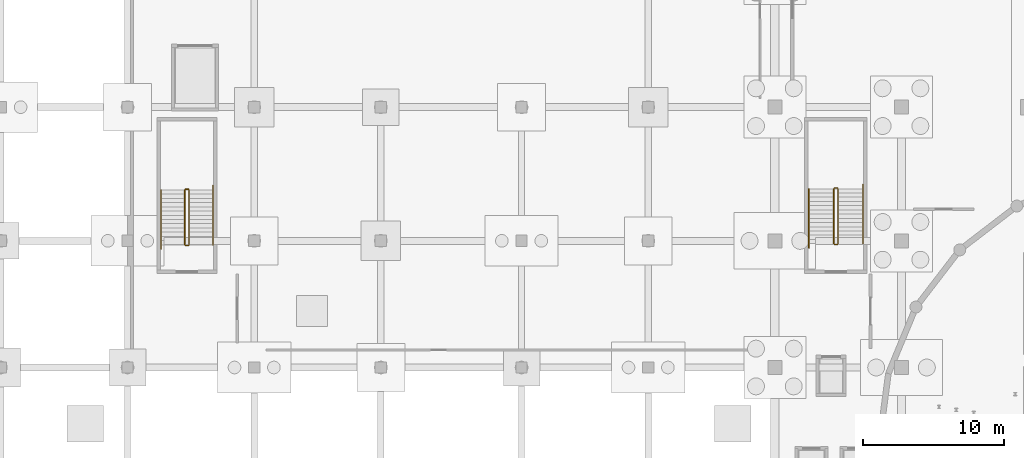
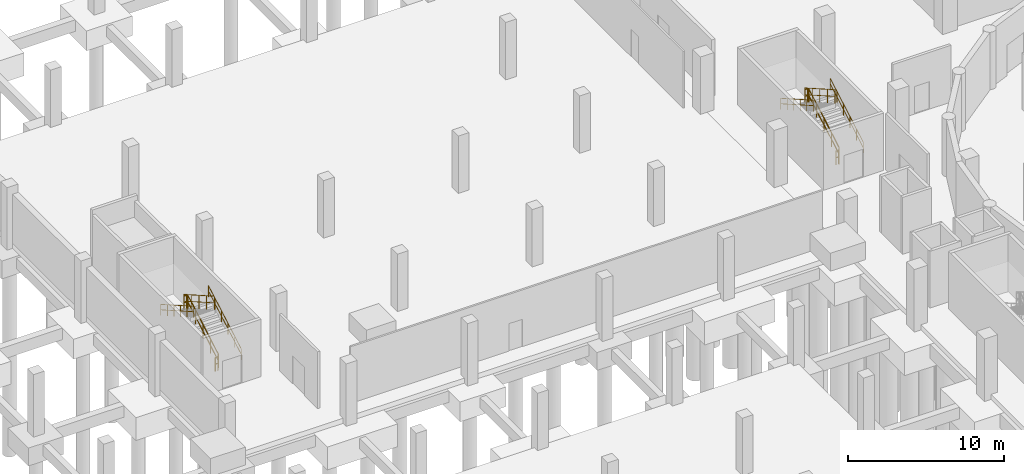
# One storey, part 36 of 40: 12 railings.
"""IFC4 building model written with IfcOpenShell, lengths in metres."""

from ifc_helpers import new_model, si_unit, direction, frame, origin, origin_2d, place, context, subcontext, project, spatial, circle, extrude, material, type_object, element, save


model = new_model("IFC4")

# Units and contexts
model_context = context("Model", 3, precision=1e-05, world=origin(), true_north=direction((0.0, 1.0)))
body_context = subcontext(model_context, "Body", "Model", "MODEL_VIEW")
ifc_project = project(units=[si_unit("LENGTHUNIT", "METRE"), si_unit("AREAUNIT", "SQUARE_METRE"), si_unit("VOLUMEUNIT", "CUBIC_METRE"), si_unit("PLANEANGLEUNIT", "RADIAN"), si_unit("MASSUNIT", "GRAM", prefix="KILO")], contexts=[model_context])

# Site, building, storey
site_placement = place(None, origin())
site = spatial("IfcSite", under=ifc_project, at=site_placement, CompositionType="ELEMENT")
building_placement = place(site_placement, origin())
building = spatial("IfcBuilding", under=site, at=building_placement, Name="Marnock Terrace Opera House", CompositionType="ELEMENT")
storey_placement = place(building_placement, frame((0.0, 0.0, -4.800048828125)))
storey = spatial("IfcBuildingStorey", under=building, at=storey_placement, Name="B1", CompositionType="ELEMENT", Elevation=-4.800048828125)

# Railings
ifc_material = material(Name="Architectural bronze balustrade")
railing_type_1 = type_object("IfcRailingType", Name="RL-GUARD-1100", PredefinedType="GUARDRAIL", material=ifc_material)
railing_1_placement = place(storey_placement, frame((59.489990234375, 74.800048828125, 0.17138671875)))
element("IfcRailing", 1, at=railing_1_placement, inside=storey, type_object=railing_type_1, Name="B1 ST-03 stair guard 1", PredefinedType="GUARDRAIL", context=body_context, shape_type="SweptSolid", body=[
    extrude(circle(Radius=0.02392578125, at=origin_2d()), frame((0.0, 0.0, 1.076171875), z_axis=(0.0, 0.868219727965, 0.496179910892), x_axis=(-1.0, 0.0, 0.0)), (0.0, 0.0, 1.0), 4.491943359375),
    extrude(circle(Radius=0.02392578125, at=origin_2d()), frame((0.0, 0.0, 0.550048828125), z_axis=(0.0, 0.868219727965, 0.496179910892), x_axis=(-1.0, 0.0, 0.0)), (0.0, 0.0, 1.0), 4.491943359375),
    extrude(circle(Radius=0.02099609375, at=origin_2d()), origin(), (0.0, 0.0, 1.0), 1.052001953125),
    extrude(circle(Radius=0.02099609375, at=origin_2d()), frame((0.0, 0.97509765625, 0.55712890625)), (0.0, 0.0, 1.0), 1.052001953125),
    extrude(circle(Radius=0.02099609375, at=origin_2d()), frame((0.0, 1.949951171875, 1.1142578125)), (0.0, 0.0, 1.0), 1.052001953125),
    extrude(circle(Radius=0.02099609375, at=origin_2d()), frame((0.0, 2.9248046875, 1.671630859375)), (0.0, 0.0, 1.0), 1.052001953125),
    extrude(circle(Radius=0.02099609375, at=origin_2d()), frame((0.0, 3.89990234375, 2.228759765625)), (0.0, 0.0, 1.0), 1.052001953125),
])
railing_2_placement = place(storey_placement, frame((59.43994140625, 78.75, 2.400146484375)))
element("IfcRailing", 2, at=railing_2_placement, inside=storey, type_object=railing_type_1, Name="B1 ST-03 stair guard 2", PredefinedType="GUARDRAIL", context=body_context, shape_type="SweptSolid", body=[
    extrude(circle(Radius=0.02392578125, at=origin_2d()), frame((0.0, 0.0, 1.076171875), z_axis=(-1.0, 0.0, 0.0), x_axis=(0.0, -1.0, 0.0)), (0.0, 0.0, 1.0), 0.199951171875),
    extrude(circle(Radius=0.02392578125, at=origin_2d()), frame((0.0, 0.0, 0.550048828125), z_axis=(-1.0, 0.0, 0.0), x_axis=(0.0, -1.0, 0.0)), (0.0, 0.0, 1.0), 0.199951171875),
    extrude(circle(Radius=0.02099609375, at=origin_2d()), origin(), (0.0, 0.0, 1.0), 1.052001953125),
    extrude(circle(Radius=0.02099609375, at=origin_2d()), frame((-0.199951171875, 0.0, 0.0)), (0.0, 0.0, 1.0), 1.052001953125),
])
railing_3_placement = place(storey_placement, frame((59.18994140625, 78.699951171875, 2.571533203125)))
element("IfcRailing", 3, at=railing_3_placement, inside=storey, type_object=railing_type_1, Name="B1 ST-03 stair guard 3", PredefinedType="GUARDRAIL", context=body_context, shape_type="SweptSolid", body=[
    extrude(circle(Radius=0.02392578125, at=origin_2d()), frame((0.0, 0.0, 1.076171875), z_axis=(0.0, -0.868243142124, 0.496138938357), x_axis=(1.0, 0.0, 0.0)), (0.0, 0.0, 1.0), 4.49169921875),
    extrude(circle(Radius=0.02392578125, at=origin_2d()), frame((0.0, 0.0, 0.550048828125), z_axis=(0.0, -0.868243142124, 0.496138938357), x_axis=(1.0, 0.0, 0.0)), (0.0, 0.0, 1.0), 4.49169921875),
    extrude(circle(Radius=0.02099609375, at=origin_2d()), origin(), (0.0, 0.0, 1.0), 1.052001953125),
    extrude(circle(Radius=0.02099609375, at=origin_2d()), frame((0.0, -0.97509765625, 0.55712890625)), (0.0, 0.0, 1.0), 1.052001953125),
    extrude(circle(Radius=0.02099609375, at=origin_2d()), frame((0.0, -1.949951171875, 1.1142578125)), (0.0, 0.0, 1.0), 1.052001953125),
    extrude(circle(Radius=0.02099609375, at=origin_2d()), frame((0.0, -2.9248046875, 1.67138671875)), (0.0, 0.0, 1.0), 1.052001953125),
    extrude(circle(Radius=0.02099609375, at=origin_2d()), frame((0.0, -3.89990234375, 2.228515625)), (0.0, 0.0, 1.0), 1.052001953125),
])
railing_4_placement = place(storey_placement, frame((59.43994140625, 74.75, 0.0)))
element("IfcRailing", 4, at=railing_4_placement, inside=storey, type_object=railing_type_1, Name="B1 ST-03 stair guard 4", PredefinedType="GUARDRAIL", context=body_context, shape_type="SweptSolid", body=[
    extrude(circle(Radius=0.02392578125, at=origin_2d()), frame((0.0, 0.0, 1.076171875), z_axis=(-1.0, 0.0, 0.0), x_axis=(0.0, -1.0, 0.0)), (0.0, 0.0, 1.0), 0.199951171875),
    extrude(circle(Radius=0.02392578125, at=origin_2d()), frame((0.0, 0.0, 0.550048828125), z_axis=(-1.0, 0.0, 0.0), x_axis=(0.0, -1.0, 0.0)), (0.0, 0.0, 1.0), 0.199951171875),
    extrude(circle(Radius=0.02099609375, at=origin_2d()), origin(), (0.0, 0.0, 1.0), 1.052001953125),
    extrude(circle(Radius=0.02099609375, at=origin_2d()), frame((-0.199951171875, 0.0, 0.0)), (0.0, 0.0, 1.0), 1.052001953125),
])
railing_5_placement = place(storey_placement, frame((13.3701171875, 74.719970703125, 0.17138671875)))
element("IfcRailing", 5, at=railing_5_placement, inside=storey, type_object=railing_type_1, Name="B1 ST-07 stair guard 1", PredefinedType="GUARDRAIL", context=body_context, shape_type="SweptSolid", body=[
    extrude(circle(Radius=0.02392578125, at=origin_2d()), frame((0.0, 0.0, 1.076171875), z_axis=(0.0, 0.868233108195, 0.496156497321), x_axis=(-1.0, 0.0, 0.0)), (0.0, 0.0, 1.0), 4.491943359375),
    extrude(circle(Radius=0.02392578125, at=origin_2d()), frame((0.0, 0.0, 0.550048828125), z_axis=(0.0, 0.868233108195, 0.496156497321), x_axis=(-1.0, 0.0, 0.0)), (0.0, 0.0, 1.0), 4.491943359375),
    extrude(circle(Radius=0.02099609375, at=origin_2d()), origin(), (0.0, 0.0, 1.0), 1.052001953125),
    extrude(circle(Radius=0.02099609375, at=origin_2d()), frame((0.0, 0.97509765625, 0.55712890625)), (0.0, 0.0, 1.0), 1.052001953125),
    extrude(circle(Radius=0.02099609375, at=origin_2d()), frame((0.0, 1.9501953125, 1.1142578125)), (0.0, 0.0, 1.0), 1.052001953125),
    extrude(circle(Radius=0.02099609375, at=origin_2d()), frame((0.0, 2.925048828125, 1.671630859375)), (0.0, 0.0, 1.0), 1.052001953125),
    extrude(circle(Radius=0.02099609375, at=origin_2d()), frame((0.0, 3.900146484375, 2.228759765625)), (0.0, 0.0, 1.0), 1.052001953125),
])
railing_6_placement = place(storey_placement, frame((13.320068359375, 78.669921875, 2.400146484375)))
element("IfcRailing", 6, at=railing_6_placement, inside=storey, type_object=railing_type_1, Name="B1 ST-07 stair guard 2", PredefinedType="GUARDRAIL", context=body_context, shape_type="SweptSolid", body=[
    extrude(circle(Radius=0.02392578125, at=origin_2d()), frame((0.0, 0.0, 1.076171875), z_axis=(-1.0, 0.0, 0.0), x_axis=(0.0, -1.0, 0.0)), (0.0, 0.0, 1.0), 0.199951171875),
    extrude(circle(Radius=0.02392578125, at=origin_2d()), frame((0.0, 0.0, 0.550048828125), z_axis=(-1.0, 0.0, 0.0), x_axis=(0.0, -1.0, 0.0)), (0.0, 0.0, 1.0), 0.199951171875),
    extrude(circle(Radius=0.02099609375, at=origin_2d()), origin(), (0.0, 0.0, 1.0), 1.052001953125),
    extrude(circle(Radius=0.02099609375, at=origin_2d()), frame((-0.199951171875, 0.0, 0.0)), (0.0, 0.0, 1.0), 1.052001953125),
])
railing_7_placement = place(storey_placement, frame((13.070068359375, 78.6201171875, 2.571533203125)))
element("IfcRailing", 7, at=railing_7_placement, inside=storey, type_object=railing_type_1, Name="B1 ST-07 stair guard 3", PredefinedType="GUARDRAIL", context=body_context, shape_type="SweptSolid", body=[
    extrude(circle(Radius=0.02392578125, at=origin_2d()), frame((0.0, 0.0, 1.076171875), z_axis=(0.0, -0.868256520506, 0.496115525457), x_axis=(1.0, 0.0, 0.0)), (0.0, 0.0, 1.0), 4.491943359375),
    extrude(circle(Radius=0.02392578125, at=origin_2d()), frame((0.0, 0.0, 0.550048828125), z_axis=(0.0, -0.868256520506, 0.496115525457), x_axis=(1.0, 0.0, 0.0)), (0.0, 0.0, 1.0), 4.491943359375),
    extrude(circle(Radius=0.02099609375, at=origin_2d()), origin(), (0.0, 0.0, 1.0), 1.052001953125),
    extrude(circle(Radius=0.02099609375, at=origin_2d()), frame((0.0, -0.97509765625, 0.55712890625)), (0.0, 0.0, 1.0), 1.052001953125),
    extrude(circle(Radius=0.02099609375, at=origin_2d()), frame((0.0, -1.9501953125, 1.1142578125)), (0.0, 0.0, 1.0), 1.052001953125),
    extrude(circle(Radius=0.02099609375, at=origin_2d()), frame((0.0, -2.925048828125, 1.67138671875)), (0.0, 0.0, 1.0), 1.052001953125),
    extrude(circle(Radius=0.02099609375, at=origin_2d()), frame((0.0, -3.900146484375, 2.228515625)), (0.0, 0.0, 1.0), 1.052001953125),
])
railing_8_placement = place(storey_placement, frame((13.320068359375, 74.669921875, 0.0)))
element("IfcRailing", 8, at=railing_8_placement, inside=storey, type_object=railing_type_1, Name="B1 ST-07 stair guard 4", PredefinedType="GUARDRAIL", context=body_context, shape_type="SweptSolid", body=[
    extrude(circle(Radius=0.02392578125, at=origin_2d()), frame((0.0, 0.0, 1.076171875), z_axis=(-1.0, 0.0, 0.0), x_axis=(0.0, -1.0, 0.0)), (0.0, 0.0, 1.0), 0.199951171875),
    extrude(circle(Radius=0.02392578125, at=origin_2d()), frame((0.0, 0.0, 0.550048828125), z_axis=(-1.0, 0.0, 0.0), x_axis=(0.0, -1.0, 0.0)), (0.0, 0.0, 1.0), 0.199951171875),
    extrude(circle(Radius=0.02099609375, at=origin_2d()), origin(), (0.0, 0.0, 1.0), 1.052001953125),
    extrude(circle(Radius=0.02099609375, at=origin_2d()), frame((-0.199951171875, 0.0, 0.0)), (0.0, 0.0, 1.0), 1.052001953125),
])
railing_type_2 = type_object("IfcRailingType", Name="RL-HAND-900", PredefinedType="HANDRAIL", material=ifc_material)
railing_9_placement = place(storey_placement, frame((61.27001953125, 74.800048828125, 0.18359375)))
element("IfcRailing", 9, at=railing_9_placement, inside=storey, type_object=railing_type_2, Name="B1 ST-03 stair handrail 1", PredefinedType="HANDRAIL", context=body_context, shape_type="SweptSolid", body=[
    extrude(circle(Radius=0.02392578125, at=origin_2d()), frame((0.0, 0.0, 0.8759765625), z_axis=(0.0, 0.868249353848, 0.496128067682), x_axis=(-1.0, 0.0, 0.0)), (0.0, 0.0, 1.0), 4.837158203125),
    extrude(circle(Radius=0.02392578125, at=origin_2d()), frame((0.0, 0.0, 0.449951171875), z_axis=(0.0, 0.868249353848, 0.496128067682), x_axis=(-1.0, 0.0, 0.0)), (0.0, 0.0, 1.0), 4.837158203125),
    extrude(circle(Radius=0.02099609375, at=origin_2d()), origin(), (0.0, 0.0, 1.0), 0.851806640625),
    extrude(circle(Radius=0.02099609375, at=origin_2d()), frame((0.0, 0.840087890625, 0.47998046875)), (0.0, 0.0, 1.0), 0.851806640625),
    extrude(circle(Radius=0.02099609375, at=origin_2d()), frame((0.0, 1.679931640625, 0.9599609375)), (0.0, 0.0, 1.0), 0.851806640625),
    extrude(circle(Radius=0.02099609375, at=origin_2d()), frame((0.0, 2.52001953125, 1.43994140625)), (0.0, 0.0, 1.0), 0.851806640625),
    extrude(circle(Radius=0.02099609375, at=origin_2d()), frame((0.0, 3.35986328125, 1.919921875)), (0.0, 0.0, 1.0), 0.851806640625),
    extrude(circle(Radius=0.02099609375, at=origin_2d()), frame((0.0, 4.199951171875, 2.39990234375)), (0.0, 0.0, 1.0), 0.851806640625),
])
railing_10_placement = place(storey_placement, frame((57.409912109375, 78.699951171875, 2.58349609375)))
element("IfcRailing", 10, at=railing_10_placement, inside=storey, type_object=railing_type_2, Name="B1 ST-03 stair handrail 2", PredefinedType="HANDRAIL", context=body_context, shape_type="SweptSolid", body=[
    extrude(circle(Radius=0.02392578125, at=origin_2d()), frame((0.0, 0.0, 0.8759765625), z_axis=(0.0, -0.868249353848, 0.496128067682), x_axis=(1.0, 0.0, 0.0)), (0.0, 0.0, 1.0), 4.837158203125),
    extrude(circle(Radius=0.02392578125, at=origin_2d()), frame((0.0, 0.0, 0.449951171875), z_axis=(0.0, -0.868249353848, 0.496128067682), x_axis=(1.0, 0.0, 0.0)), (0.0, 0.0, 1.0), 4.837158203125),
    extrude(circle(Radius=0.02099609375, at=origin_2d()), origin(), (0.0, 0.0, 1.0), 0.851806640625),
    extrude(circle(Radius=0.02099609375, at=origin_2d()), frame((0.0, -0.840087890625, 0.47998046875)), (0.0, 0.0, 1.0), 0.851806640625),
    extrude(circle(Radius=0.02099609375, at=origin_2d()), frame((0.0, -1.679931640625, 0.9599609375)), (0.0, 0.0, 1.0), 0.851806640625),
    extrude(circle(Radius=0.02099609375, at=origin_2d()), frame((0.0, -2.52001953125, 1.43994140625)), (0.0, 0.0, 1.0), 0.851806640625),
    extrude(circle(Radius=0.02099609375, at=origin_2d()), frame((0.0, -3.35986328125, 1.919921875)), (0.0, 0.0, 1.0), 0.851806640625),
    extrude(circle(Radius=0.02099609375, at=origin_2d()), frame((0.0, -4.199951171875, 2.39990234375)), (0.0, 0.0, 1.0), 0.851806640625),
])
railing_11_placement = place(storey_placement, frame((15.070068359375, 74.719970703125, 0.18359375)))
element("IfcRailing", 11, at=railing_11_placement, inside=storey, type_object=railing_type_2, Name="B1 ST-07 stair handrail 1", PredefinedType="HANDRAIL", context=body_context, shape_type="SweptSolid", body=[
    extrude(circle(Radius=0.02392578125, at=origin_2d()), frame((0.0, 0.0, 0.8759765625), z_axis=(0.0, 0.868249353848, 0.496128067682), x_axis=(-1.0, 0.0, 0.0)), (0.0, 0.0, 1.0), 4.837158203125),
    extrude(circle(Radius=0.02392578125, at=origin_2d()), frame((0.0, 0.0, 0.449951171875), z_axis=(0.0, 0.868249353848, 0.496128067682), x_axis=(-1.0, 0.0, 0.0)), (0.0, 0.0, 1.0), 4.837158203125),
    extrude(circle(Radius=0.02099609375, at=origin_2d()), origin(), (0.0, 0.0, 1.0), 0.851806640625),
    extrude(circle(Radius=0.02099609375, at=origin_2d()), frame((0.0, 0.840087890625, 0.47998046875)), (0.0, 0.0, 1.0), 0.851806640625),
    extrude(circle(Radius=0.02099609375, at=origin_2d()), frame((0.0, 1.679931640625, 0.9599609375)), (0.0, 0.0, 1.0), 0.851806640625),
    extrude(circle(Radius=0.02099609375, at=origin_2d()), frame((0.0, 2.52001953125, 1.43994140625)), (0.0, 0.0, 1.0), 0.851806640625),
    extrude(circle(Radius=0.02099609375, at=origin_2d()), frame((0.0, 3.35986328125, 1.919921875)), (0.0, 0.0, 1.0), 0.851806640625),
    extrude(circle(Radius=0.02099609375, at=origin_2d()), frame((0.0, 4.199951171875, 2.39990234375)), (0.0, 0.0, 1.0), 0.851806640625),
])
railing_12_placement = place(storey_placement, frame((11.3701171875, 78.6201171875, 2.58349609375)))
element("IfcRailing", 12, at=railing_12_placement, inside=storey, type_object=railing_type_2, Name="B1 ST-07 stair handrail 2", PredefinedType="HANDRAIL", context=body_context, shape_type="SweptSolid", body=[
    extrude(circle(Radius=0.02392578125, at=origin_2d()), frame((0.0, 0.0, 0.8759765625), z_axis=(0.0, -0.868261776072, 0.496106327528), x_axis=(1.0, 0.0, 0.0)), (0.0, 0.0, 1.0), 4.83740234375),
    extrude(circle(Radius=0.02392578125, at=origin_2d()), frame((0.0, 0.0, 0.449951171875), z_axis=(0.0, -0.868261776072, 0.496106327528), x_axis=(1.0, 0.0, 0.0)), (0.0, 0.0, 1.0), 4.83740234375),
    extrude(circle(Radius=0.02099609375, at=origin_2d()), origin(), (0.0, 0.0, 1.0), 0.851806640625),
    extrude(circle(Radius=0.02099609375, at=origin_2d()), frame((0.0, -0.840087890625, 0.47998046875)), (0.0, 0.0, 1.0), 0.851806640625),
    extrude(circle(Radius=0.02099609375, at=origin_2d()), frame((0.0, -1.68017578125, 0.9599609375)), (0.0, 0.0, 1.0), 0.851806640625),
    extrude(circle(Radius=0.02099609375, at=origin_2d()), frame((0.0, -2.52001953125, 1.43994140625)), (0.0, 0.0, 1.0), 0.851806640625),
    extrude(circle(Radius=0.02099609375, at=origin_2d()), frame((0.0, -3.360107421875, 1.919921875)), (0.0, 0.0, 1.0), 0.851806640625),
    extrude(circle(Radius=0.02099609375, at=origin_2d()), frame((0.0, -4.2001953125, 2.39990234375)), (0.0, 0.0, 1.0), 0.851806640625),
])

save(model, "model.ifc")
